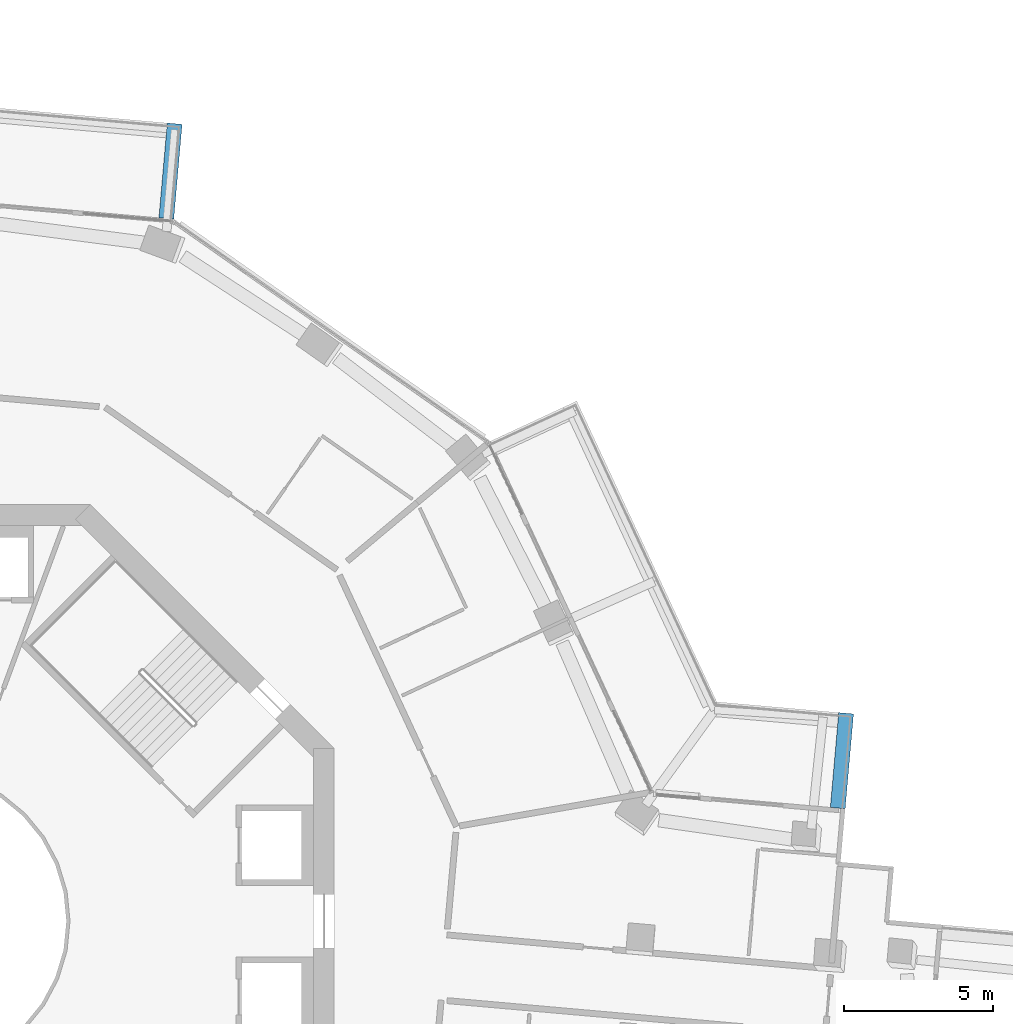
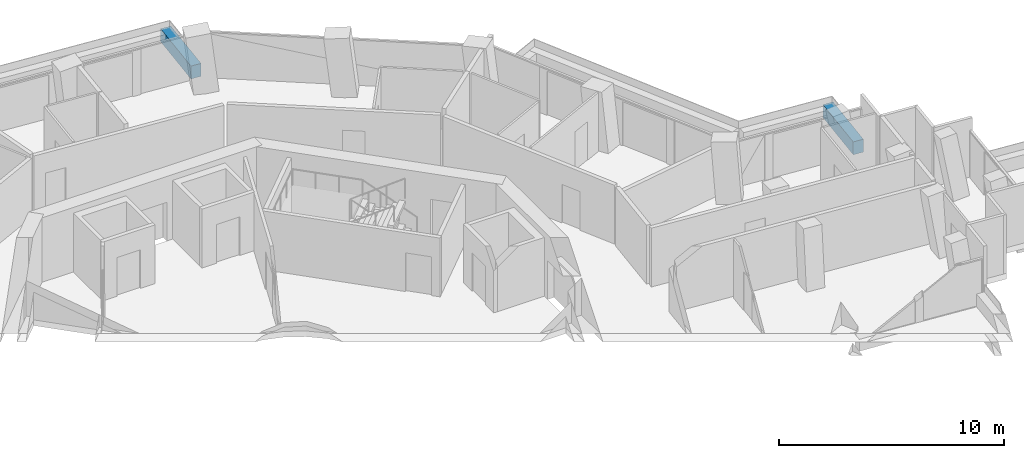
# One storey, part 20 of 23: 2 walls.
"""IFC4 building model written with IfcOpenShell, lengths in metres."""

from ifc_helpers import new_model, si_unit, direction, frame, frame_2d, origin, place, context, subcontext, project, spatial, rectangle, extrude, material, layer, layer_set, type_object, element, save


model = new_model("IFC4")

# Units and contexts
model_context = context("Model", 3, precision=1e-05, world=origin(), true_north=direction((0.0, 1.0)))
body_context = subcontext(model_context, "Body", "Model", "MODEL_VIEW")
ifc_project = project(units=[si_unit("LENGTHUNIT", "METRE"), si_unit("AREAUNIT", "SQUARE_METRE"), si_unit("VOLUMEUNIT", "CUBIC_METRE"), si_unit("PLANEANGLEUNIT", "RADIAN"), si_unit("MASSUNIT", "GRAM", prefix="KILO")], contexts=[model_context])

# Site, building, storey
site_placement = place(None, origin())
site = spatial("IfcSite", under=ifc_project, at=site_placement, CompositionType="ELEMENT")
building_placement = place(site_placement, origin())
building = spatial("IfcBuilding", under=site, at=building_placement, Name="Verdalira Terraces Hotel", CompositionType="ELEMENT")
storey_placement = place(building_placement, frame((0.0, 0.0, 136.5)))
storey = spatial("IfcBuildingStorey", under=building, at=storey_placement, Name="L32", CompositionType="ELEMENT", Elevation=136.5)

# Walls
ifc_material = material(Name="Concrete C40", Category="concrete")
ifc_layer = layer(ifc_material, 0.5)
ifc_layer_set = layer_set([ifc_layer], Name="Balcony planter trough with tree")
wall_type = type_object("IfcWallType", Name="Balcony planter trough with tree", PredefinedType="SOLIDWALL", material=ifc_layer_set)
wall_1_placement = place(storey_placement, frame((30.925293, 3.798828, 0.0), z_axis=(0.0, 0.0, 1.0), x_axis=(0.08783813, 0.996134761, 0.0)))
element("IfcWall", 1, at=wall_1_placement, inside=storey, type_object=wall_type, Name="Balcony planter", PredefinedType="SOLIDWALL", context=body_context, shape_type="SweptSolid", body=[
    extrude(rectangle(XDim=3.199219, YDim=0.5, at=frame_2d((1.599609, 0.0))), origin(), (0.0, 0.0, 1.0), 0.699951),
])
wall_2_placement = place(storey_placement, frame((8.356934, 23.616455, 0.0), z_axis=(0.0, 0.0, 1.0), x_axis=(0.087920539, 0.996127491, 0.0)))
element("IfcWall", 2, at=wall_2_placement, inside=storey, type_object=wall_type, Name="Balcony planter", PredefinedType="SOLIDWALL", context=body_context, shape_type="SweptSolid", body=[
    extrude(rectangle(XDim=3.198975, YDim=0.5, at=frame_2d((1.599609, 0.0))), origin(), (0.0, 0.0, 1.0), 0.699951),
])

save(model, "model.ifc")
